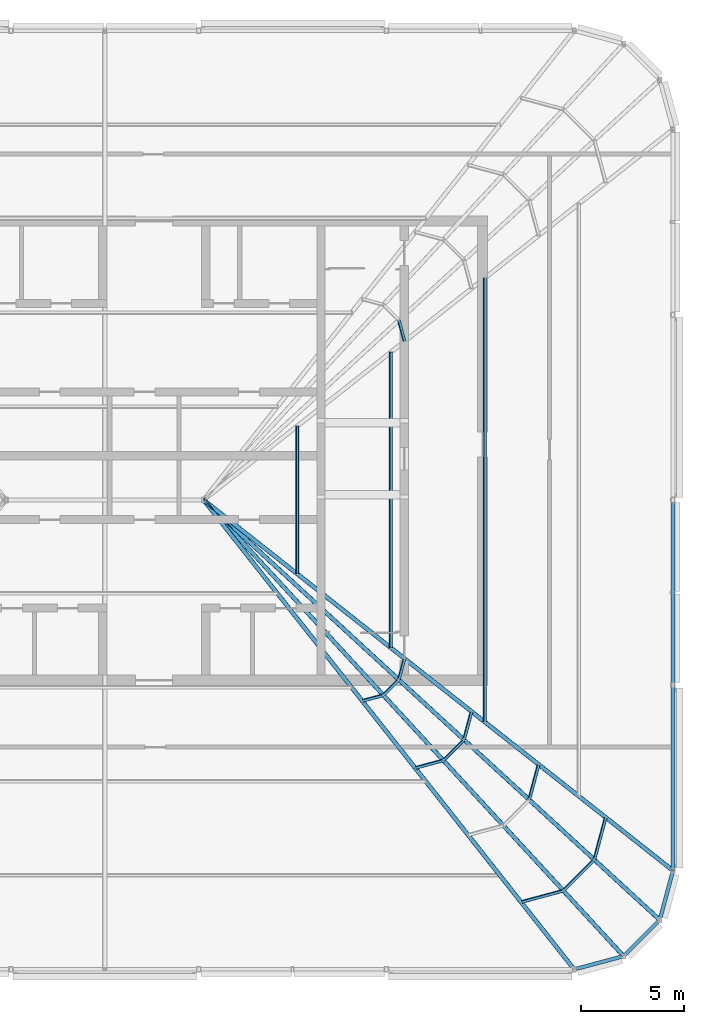
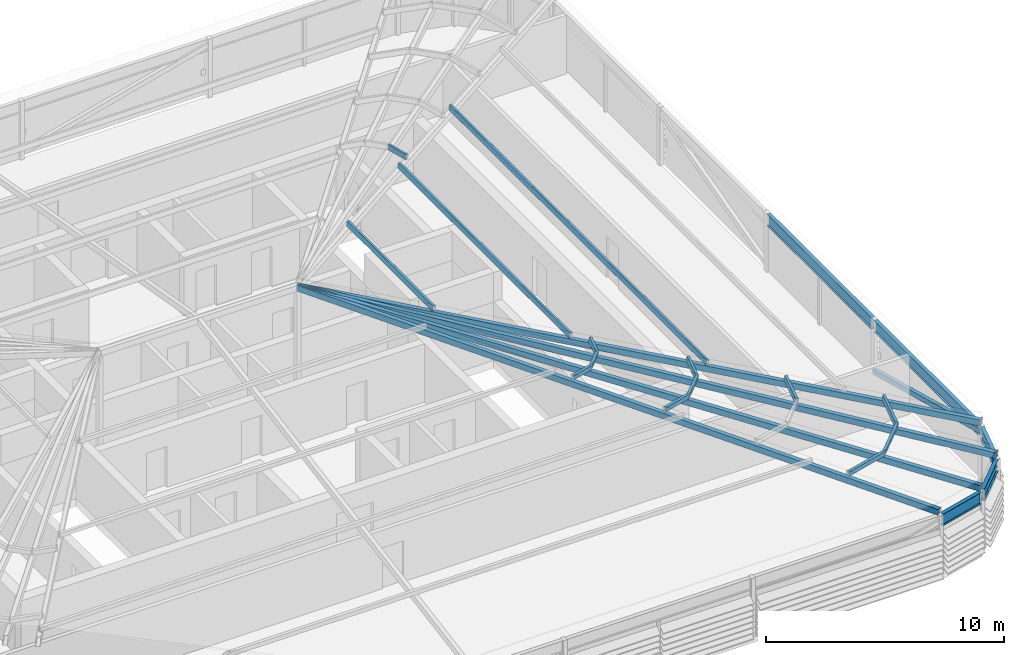
# One storey, part 11 of 46: 19 members, 5 beams.
"""IFC4 building model written with IfcOpenShell, lengths in metres."""

from ifc_helpers import new_model, si_unit, direction, frame, origin, origin_2d, place, context, subcontext, project, spatial, hollow_rectangle, i_section, extrude, material, material_profile, profile_set, type_object, element, save


model = new_model("IFC4")

# Units and contexts
model_context = context("Model", 3, precision=1e-05, world=origin(), true_north=direction((0.0, 1.0)))
body_context = subcontext(model_context, "Body", "Model", "MODEL_VIEW")
ifc_project = project(units=[si_unit("LENGTHUNIT", "METRE"), si_unit("AREAUNIT", "SQUARE_METRE"), si_unit("VOLUMEUNIT", "CUBIC_METRE"), si_unit("PLANEANGLEUNIT", "RADIAN"), si_unit("MASSUNIT", "GRAM", prefix="KILO")], contexts=[model_context])

# Site, building, storey
site_placement = place(None, origin())
site = spatial("IfcSite", under=ifc_project, at=site_placement, CompositionType="ELEMENT")
building_placement = place(site_placement, origin())
building = spatial("IfcBuilding", under=site, at=building_placement, Name="Madar Terraces", CompositionType="ELEMENT")
storey_placement = place(building_placement, frame((0.0, 0.0, 317.300048828125)))
storey = spatial("IfcBuildingStorey", under=building, at=storey_placement, Name="L82", CompositionType="ELEMENT", Elevation=317.300048828125)

# Beams
ifc_material_1 = material(Name="Steel ASTM A992 Grade 50", Category="steel")
ifc_material_profile_1 = material_profile(ifc_material_1, i_section(OverallWidth=0.1787109375, OverallDepth=0.60205078125, WebThickness=0.010986328125, FlangeThickness=0.014892578125, at=origin_2d()), Name="W24x62")
ifc_profile_set_1 = profile_set([ifc_material_profile_1], Name="Steel ASTM A992 Grade 50")
beam_type = type_object("IfcBeamType", Name="CF2 W24x62", PredefinedType="BEAM", material=ifc_profile_set_1)
beam_1_placement = place(storey_placement, frame((51.6982421875, 1.226318359375, 2.698974609375), z_axis=(0.965912700012, 0.258868028067, 0.0), x_axis=(-0.258868028067, 0.965912700012, 0.0)))
element("IfcBeam", 1, at=beam_1_placement, inside=storey, type_object=beam_type, Name="Crown frame ring beam CF2", PredefinedType="BEAM", context=body_context, shape_type="SweptSolid", body=[
    extrude(i_section(OverallWidth=0.1787109375, OverallDepth=0.60205078125, WebThickness=0.010986328125, FlangeThickness=0.014892578125, at=origin_2d()), origin(), (0.0, 0.0, 1.0), 2.281494140625),
])
beam_2_placement = place(storey_placement, frame((54.07177734375, 1.9150390625, 2.698974609375), z_axis=(0.707160287053, 0.707053271271, 0.0), x_axis=(-0.707053271271, 0.707160287053, 0.0)))
element("IfcBeam", 2, at=beam_2_placement, inside=storey, type_object=beam_type, Name="Crown frame ring beam CF2", PredefinedType="BEAM", context=body_context, shape_type="SweptSolid", body=[
    extrude(i_section(OverallWidth=0.1787109375, OverallDepth=0.60205078125, WebThickness=0.010986328125, FlangeThickness=0.014892578125, at=origin_2d()), origin(), (0.0, 0.0, 1.0), 2.28125),
])
beam_3_placement = place(storey_placement, frame((55.783203125, 3.6982421875, 2.698974609375), z_axis=(0.258868028067, 0.965912700012, 0.0), x_axis=(-0.965912700012, 0.258868028067, 0.0)))
element("IfcBeam", 3, at=beam_3_placement, inside=storey, type_object=beam_type, Name="Crown frame ring beam CF2", PredefinedType="BEAM", context=body_context, shape_type="SweptSolid", body=[
    extrude(i_section(OverallWidth=0.1787109375, OverallDepth=0.60205078125, WebThickness=0.010986328125, FlangeThickness=0.014892578125, at=origin_2d()), origin(), (0.0, 0.0, 1.0), 2.281494140625),
])
for number, where, z_axis, x_axis, name in (
    (4, (56.39990234375, 6.1015625, 2.698974609375), (0.0, 1.0, 0.0), (-1.0, 0.0, 0.0), "Crown frame ring beam CF2"),
    (5, (56.39990234375, 15.1015625, 2.698974609375), (0.0, 1.0, 0.0), (-1.0, 0.0, 0.0), "Crown frame ring beam CF2"),
):
    element("IfcBeam", number, at=place(storey_placement, frame(where, z_axis=z_axis, x_axis=x_axis)), inside=storey, type_object=beam_type, Name=name, PredefinedType="BEAM", context=body_context, shape_type="SweptSolid", body=[
        extrude(i_section(OverallWidth=0.1787109375, OverallDepth=0.60205078125, WebThickness=0.010986328125, FlangeThickness=0.014892578125, at=origin_2d()), origin(), (0.0, 0.0, 1.0), 8.796875),
    ])

# Members
ifc_material_2 = material(Name="Steel ASTM A500 Grade C", Category="steel")
ifc_material_profile_2 = material_profile(ifc_material_2, hollow_rectangle(XDim=0.203125, YDim=0.3046875, WallThickness=0.00634765625, InnerFilletRadius=0.0029296875, OuterFilletRadius=0.0087890625, at=origin_2d()), Name="HSS12x8x.25")
ifc_profile_set_2 = profile_set([ifc_material_profile_2], Name="Steel ASTM A500 Grade C")
member_type_1 = type_object("IfcMemberType", Name="CF3 HSS12x8x.25", PredefinedType="RAFTER", material=ifc_profile_set_2)
member_1_placement = place(storey_placement, frame((51.587158203125, 1.21630859375, 3.149169921875), z_axis=(-0.613851215906, 0.777546538658, 0.136411381312), x_axis=(-0.784883410926, -0.619643471081, 0.0)))
element("IfcMember", 6, at=member_1_placement, inside=storey, type_object=member_type_1, Name="Crown frame hip rafter 2", PredefinedType="RAFTER", context=body_context, shape_type="SweptSolid", body=[
    extrude(hollow_rectangle(XDim=0.203125, YDim=0.3046875, WallThickness=0.00634765625, InnerFilletRadius=0.0029296875, OuterFilletRadius=0.0087890625, at=origin_2d()), origin(), (0.0, 0.0, 1.0), 29.322998046875),
])
member_2_placement = place(storey_placement, frame((53.986328125, 1.85791015625, 3.149169921875), z_axis=(-0.671442933808, 0.729267479054, 0.131656107464), x_axis=(-0.735671165432, -0.677338863754, 0.0)))
element("IfcMember", 7, at=member_2_placement, inside=storey, type_object=member_type_1, Name="Crown frame hip rafter 5", PredefinedType="RAFTER", context=body_context, shape_type="SweptSolid", body=[
    extrude(hollow_rectangle(XDim=0.203125, YDim=0.3046875, WallThickness=0.00634765625, InnerFilletRadius=0.0029296875, OuterFilletRadius=0.0087890625, at=origin_2d()), origin(), (0.0, 0.0, 1.0), 30.382080078125),
])
member_3_placement = place(storey_placement, frame((55.7421875, 3.613525390625, 3.149169921875), z_axis=(-0.729267306349, 0.671443411946, 0.13165462561), x_axis=(-0.677339211615, -0.735670845153, 0.0)))
element("IfcMember", 8, at=member_3_placement, inside=storey, type_object=member_type_1, Name="Crown frame hip rafter 6", PredefinedType="RAFTER", context=body_context, shape_type="SweptSolid", body=[
    extrude(hollow_rectangle(XDim=0.203125, YDim=0.3046875, WallThickness=0.00634765625, InnerFilletRadius=0.0029296875, OuterFilletRadius=0.0087890625, at=origin_2d()), origin(), (0.0, 0.0, 1.0), 30.382568359375),
])
member_4_placement = place(storey_placement, frame((56.3837890625, 6.012939453125, 3.149169921875), z_axis=(-0.777546538658, 0.613851215906, 0.136411381312), x_axis=(-0.619643471081, -0.784883410926, 0.0)))
element("IfcMember", 9, at=member_4_placement, inside=storey, type_object=member_type_1, Name="Crown frame hip rafter 7", PredefinedType="RAFTER", context=body_context, shape_type="SweptSolid", body=[
    extrude(hollow_rectangle(XDim=0.203125, YDim=0.3046875, WallThickness=0.00634765625, InnerFilletRadius=0.0029296875, OuterFilletRadius=0.0087890625, at=origin_2d()), origin(), (0.0, 0.0, 1.0), 29.322998046875),
])
ifc_material_3 = material(Name="Steel ASTM A500 Grade C", Category="steel")
ifc_material_profile_3 = material_profile(ifc_material_3, hollow_rectangle(XDim=0.126953125, YDim=0.25390625, WallThickness=0.00634765625, InnerFilletRadius=0.0029296875, OuterFilletRadius=0.0087890625, at=origin_2d()), Name="HSS10x5x.25")
ifc_profile_set_3 = profile_set([ifc_material_profile_3], Name="Steel ASTM A500 Grade C")
member_type_2 = type_object("IfcMemberType", Name="CF4 HSS10x5x.25", PredefinedType="PURLIN", material=ifc_profile_set_3)
member_5_placement = place(storey_placement, frame((49.024169921875, 4.4736328125, 3.999755859375), z_axis=(0.965918371587, 0.258846864828, 0.0), x_axis=(-0.256509391298, 0.9571958065, 0.13408624163)))
element("IfcMember", 10, at=member_5_placement, inside=storey, type_object=member_type_2, Name="Crown frame purlin 9", PredefinedType="PURLIN", context=body_context, shape_type="SweptSolid", body=[
    extrude(hollow_rectangle(XDim=0.126953125, YDim=0.25390625, WallThickness=0.00634765625, InnerFilletRadius=0.0029296875, OuterFilletRadius=0.0087890625, at=origin_2d()), origin(), (0.0, 0.0, 1.0), 2.129638671875),
])
member_6_placement = place(storey_placement, frame((43.88134765625, 10.98779296875, 5.142578125), z_axis=(0.965885861028, 0.258968151452, 0.0), x_axis=(-0.256629582663, 0.957163589522, 0.13408624163)))
element("IfcMember", 11, at=member_6_placement, inside=storey, type_object=member_type_2, Name="Crown frame purlin 11", PredefinedType="PURLIN", context=body_context, shape_type="SweptSolid", body=[
    extrude(hollow_rectangle(XDim=0.126953125, YDim=0.25390625, WallThickness=0.00634765625, InnerFilletRadius=0.0029296875, OuterFilletRadius=0.0087890625, at=origin_2d()), origin(), (0.0, 0.0, 1.0), 1.419677734375),
])
member_7_placement = place(storey_placement, frame((41.309814453125, 14.2451171875, 5.714111328125), z_axis=(0.965975674746, 0.258632936414, 0.0), x_axis=(-0.256297394729, 0.957252592193, 0.13408624163)))
element("IfcMember", 12, at=member_7_placement, inside=storey, type_object=member_type_2, Name="Crown frame purlin 12", PredefinedType="PURLIN", context=body_context, shape_type="SweptSolid", body=[
    extrude(hollow_rectangle(XDim=0.126953125, YDim=0.25390625, WallThickness=0.00634765625, InnerFilletRadius=0.0029296875, OuterFilletRadius=0.0087890625, at=origin_2d()), origin(), (0.0, 0.0, 1.0), 1.064697265625),
])
member_8_placement = place(storey_placement, frame((51.073974609375, 5.020263671875, 3.999755859375), z_axis=(0.707106781187, 0.707106781187, 0.0), x_axis=(-0.700941463334, 0.700941463334, 0.131765435371)))
element("IfcMember", 13, at=member_8_placement, inside=storey, type_object=member_type_2, Name="Crown frame purlin 13", PredefinedType="PURLIN", context=body_context, shape_type="SweptSolid", body=[
    extrude(hollow_rectangle(XDim=0.126953125, YDim=0.25390625, WallThickness=0.00634765625, InnerFilletRadius=0.0029296875, OuterFilletRadius=0.0087890625, at=origin_2d()), origin(), (0.0, 0.0, 1.0), 2.129638671875),
])
member_9_placement = place(storey_placement, frame((45.245361328125, 11.350830078125, 5.142578125), z_axis=(0.707106781187, 0.707106781187, 0.0), x_axis=(-0.700941463334, 0.700941463334, 0.131765435371)))
element("IfcMember", 14, at=member_9_placement, inside=storey, type_object=member_type_2, Name="Crown frame purlin 15", PredefinedType="PURLIN", context=body_context, shape_type="SweptSolid", body=[
    extrude(hollow_rectangle(XDim=0.126953125, YDim=0.25390625, WallThickness=0.00634765625, InnerFilletRadius=0.0029296875, OuterFilletRadius=0.0087890625, at=origin_2d()), origin(), (0.0, 0.0, 1.0), 1.419677734375),
])
member_10_placement = place(storey_placement, frame((42.3310546875, 14.51611328125, 5.7138671875), z_axis=(0.707106781187, 0.707106781187, 0.0), x_axis=(-0.700941463334, 0.700941463334, 0.131765435371)))
element("IfcMember", 15, at=member_10_placement, inside=storey, type_object=member_type_2, Name="Crown frame purlin 16", PredefinedType="PURLIN", context=body_context, shape_type="SweptSolid", body=[
    extrude(hollow_rectangle(XDim=0.126953125, YDim=0.25390625, WallThickness=0.00634765625, InnerFilletRadius=0.0029296875, OuterFilletRadius=0.0087890625, at=origin_2d()), origin(), (0.0, 0.0, 1.0), 1.064697265625),
])
member_11_placement = place(storey_placement, frame((52.5751953125, 6.518798828125, 3.999755859375), z_axis=(0.258846864828, 0.965918371587, 0.0), x_axis=(-0.9571958065, 0.256509391298, 0.13408624163)))
element("IfcMember", 16, at=member_11_placement, inside=storey, type_object=member_type_2, Name="Crown frame purlin 17", PredefinedType="PURLIN", context=body_context, shape_type="SweptSolid", body=[
    extrude(hollow_rectangle(XDim=0.126953125, YDim=0.25390625, WallThickness=0.00634765625, InnerFilletRadius=0.0029296875, OuterFilletRadius=0.0087890625, at=origin_2d()), origin(), (0.0, 0.0, 1.0), 2.129638671875),
])
member_12_placement = place(storey_placement, frame((49.409912109375, 9.432861328125, 4.5712890625), z_axis=(0.258878180119, 0.965909979169, 0.0), x_axis=(-0.957187489869, 0.256540423801, 0.13408624163)))
element("IfcMember", 17, at=member_12_placement, inside=storey, type_object=member_type_2, Name="Crown frame purlin 18", PredefinedType="PURLIN", context=body_context, shape_type="SweptSolid", body=[
    extrude(hollow_rectangle(XDim=0.126953125, YDim=0.25390625, WallThickness=0.00634765625, InnerFilletRadius=0.0029296875, OuterFilletRadius=0.0087890625, at=origin_2d()), origin(), (0.0, 0.0, 1.0), 1.77490234375),
])
member_13_placement = place(storey_placement, frame((46.24462890625, 12.34716796875, 5.142578125), z_axis=(0.258764732701, 0.965940377617, 0.0), x_axis=(-0.957217613808, 0.256428000851, 0.13408624163)))
element("IfcMember", 18, at=member_13_placement, inside=storey, type_object=member_type_2, Name="Crown frame purlin 19", PredefinedType="PURLIN", context=body_context, shape_type="SweptSolid", body=[
    extrude(hollow_rectangle(XDim=0.126953125, YDim=0.25390625, WallThickness=0.00634765625, InnerFilletRadius=0.0029296875, OuterFilletRadius=0.0087890625, at=origin_2d()), origin(), (0.0, 0.0, 1.0), 1.419921875),
])
member_14_placement = place(storey_placement, frame((43.079345703125, 15.261474609375, 5.714111328125), z_axis=(0.258846864828, 0.965918371587, 0.0), x_axis=(-0.9571958065, 0.256509391298, 0.13408624163)))
element("IfcMember", 19, at=member_14_placement, inside=storey, type_object=member_type_2, Name="Crown frame purlin 20", PredefinedType="PURLIN", context=body_context, shape_type="SweptSolid", body=[
    extrude(hollow_rectangle(XDim=0.126953125, YDim=0.25390625, WallThickness=0.00634765625, InnerFilletRadius=0.0029296875, OuterFilletRadius=0.0087890625, at=origin_2d()), origin(), (0.0, 0.0, 1.0), 1.06494140625),
])
member_15_placement = place(storey_placement, frame((47.258056640625, 13.199951171875, 5.029052734375), z_axis=(0.0, 1.0, 0.0), x_axis=(-0.984957023705, 0.0, 0.172799483372)))
element("IfcMember", 20, at=member_15_placement, inside=storey, type_object=member_type_2, Name="Crown frame purlin 22", PredefinedType="PURLIN", context=body_context, shape_type="SweptSolid", body=[
    extrude(hollow_rectangle(XDim=0.126953125, YDim=0.25390625, WallThickness=0.00634765625, InnerFilletRadius=0.0029296875, OuterFilletRadius=0.0087890625, at=origin_2d()), origin(), (0.0, 0.0, 1.0), 21.60009765625),
])
member_16_placement = place(storey_placement, frame((42.697998046875, 16.800048828125, 5.8291015625), z_axis=(0.0, 1.0, 0.0), x_axis=(-0.984957023705, 0.0, 0.172799483372)))
element("IfcMember", 21, at=member_16_placement, inside=storey, type_object=member_type_2, Name="Crown frame purlin 23", PredefinedType="PURLIN", context=body_context, shape_type="SweptSolid", body=[
    extrude(hollow_rectangle(XDim=0.126953125, YDim=0.25390625, WallThickness=0.00634765625, InnerFilletRadius=0.0029296875, OuterFilletRadius=0.0087890625, at=origin_2d()), origin(), (0.0, 0.0, 1.0), 14.39990234375),
])
member_17_placement = place(storey_placement, frame((38.137939453125, 20.39990234375, 6.629150390625), z_axis=(0.0, 1.0, 0.0), x_axis=(-0.984957023705, 0.0, 0.172799483372)))
element("IfcMember", 22, at=member_17_placement, inside=storey, type_object=member_type_2, Name="Crown frame purlin 24", PredefinedType="PURLIN", context=body_context, shape_type="SweptSolid", body=[
    extrude(hollow_rectangle(XDim=0.126953125, YDim=0.25390625, WallThickness=0.00634765625, InnerFilletRadius=0.0029296875, OuterFilletRadius=0.0087890625, at=origin_2d()), origin(), (0.0, 0.0, 1.0), 7.2001953125),
])
member_18_placement = place(storey_placement, frame((43.35498046875, 31.7099609375, 5.714111328125), z_axis=(-0.258846864828, 0.965918371587, 0.0), x_axis=(-0.9571958065, -0.256509391298, 0.13408624163)))
element("IfcMember", 23, at=member_18_placement, inside=storey, type_object=member_type_2, Name="Crown frame purlin 28", PredefinedType="PURLIN", context=body_context, shape_type="SweptSolid", body=[
    extrude(hollow_rectangle(XDim=0.126953125, YDim=0.25390625, WallThickness=0.00634765625, InnerFilletRadius=0.0029296875, OuterFilletRadius=0.0087890625, at=origin_2d()), origin(), (0.0, 0.0, 1.0), 1.06494140625),
])
ifc_material_4 = material(Name="Steel ASTM A500 Grade C", Category="steel")
ifc_material_profile_4 = material_profile(ifc_material_4, hollow_rectangle(XDim=0.203125, YDim=0.25390625, WallThickness=0.009521484375, InnerFilletRadius=0.00439453125, OuterFilletRadius=0.01318359375, at=origin_2d()), Name="HSS10x8x.375")
ifc_profile_set_4 = profile_set([ifc_material_profile_4], Name="Steel ASTM A500 Grade C")
member_type_3 = type_object("IfcMemberType", Name="CF5 crown frame brace HSS10x8x.375", PredefinedType="BRACE", material=ifc_profile_set_4)
member_19_placement = place(storey_placement, frame((56.39990234375, 6.0, 2.698974609375), z_axis=(0.0, 0.966263646701, -0.257554974839), x_axis=(-1.0, 0.0, 0.0)))
element("IfcMember", 24, at=member_19_placement, inside=storey, type_object=member_type_3, Name="Crown frame brace CF5", PredefinedType="BRACE", context=body_context, shape_type="SweptSolid", body=[
    extrude(hollow_rectangle(XDim=0.203125, YDim=0.25390625, WallThickness=0.009521484375, InnerFilletRadius=0.00439453125, OuterFilletRadius=0.01318359375, at=origin_2d()), origin(), (0.0, 0.0, 1.0), 9.314208984375),
])

save(model, "model.ifc")
